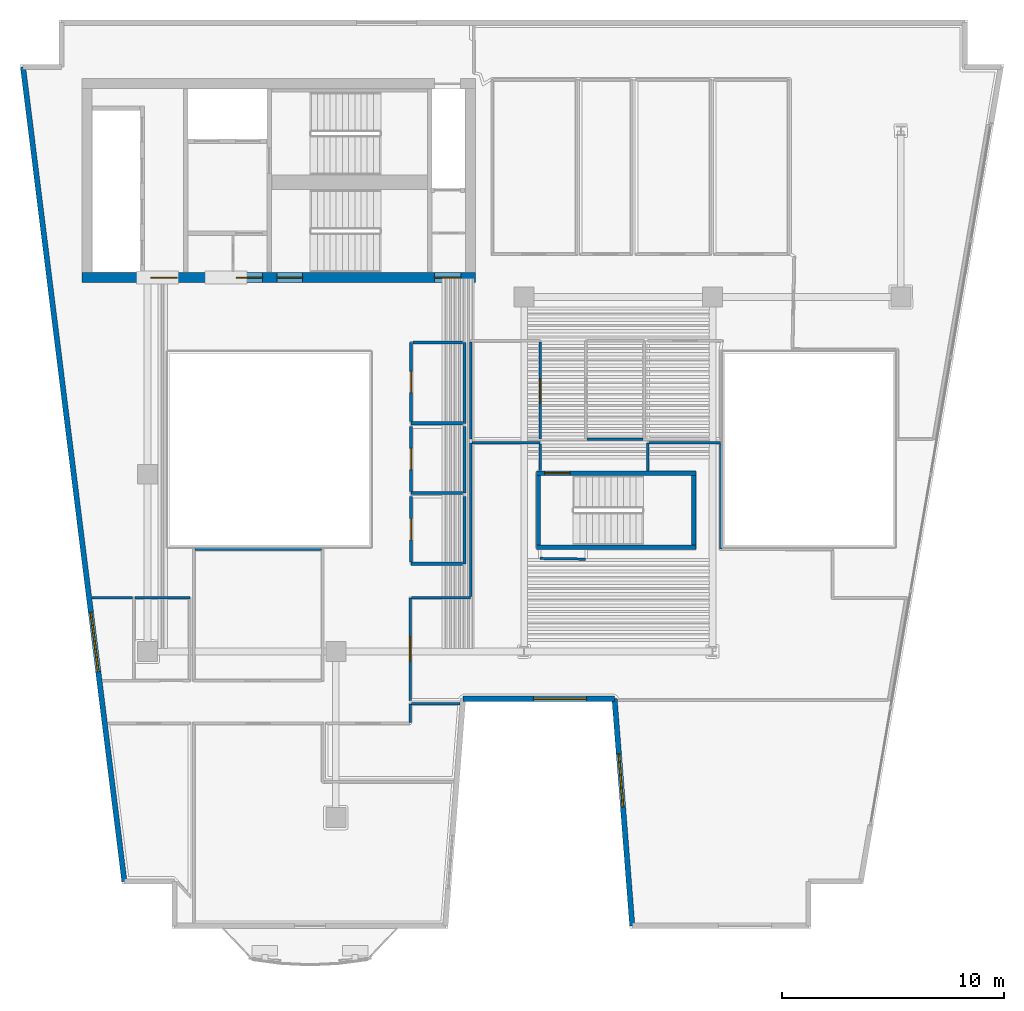
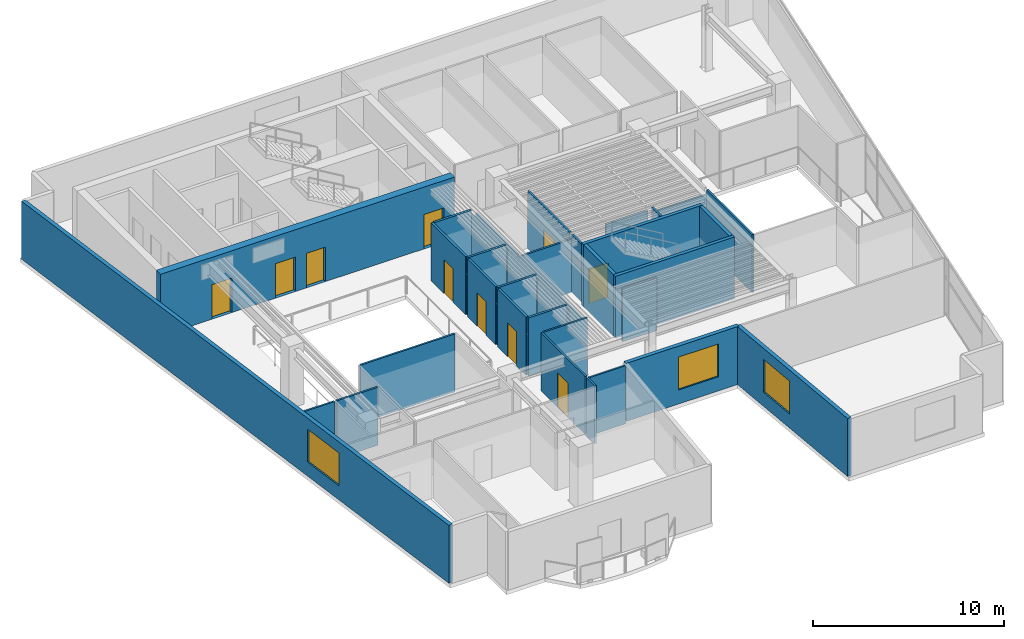
# One storey, part 4 of 10: 35 walls, 10 doors, 3 windows, 13 openings.
"""IFC4 building model written with IfcOpenShell, lengths in metres."""

from ifc_helpers import new_model, si_unit, direction, frame, frame_2d, origin, place, context, subcontext, project, spatial, rectangle, extrude, material, layer, layer_set, type_object, element, fill, save


model = new_model("IFC4")

# Units and contexts
model_context = context("Model", 3, precision=1e-05, world=origin(), true_north=direction((0.0, 1.0)))
body_context = subcontext(model_context, "Body", "Model", "MODEL_VIEW")
ifc_project = project(units=[si_unit("LENGTHUNIT", "METRE"), si_unit("AREAUNIT", "SQUARE_METRE"), si_unit("VOLUMEUNIT", "CUBIC_METRE"), si_unit("PLANEANGLEUNIT", "RADIAN"), si_unit("MASSUNIT", "GRAM", prefix="KILO")], contexts=[model_context])

# Site, building, storey
site_placement = place(None, origin())
site = spatial("IfcSite", under=ifc_project, at=site_placement, CompositionType="ELEMENT")
building_placement = place(site_placement, origin())
building = spatial("IfcBuilding", under=site, at=building_placement, Name="Caeloran Harvest Quay", CompositionType="ELEMENT")
storey_placement = place(building_placement, frame((0.0, 0.0, 219.300048828125)))
storey = spatial("IfcBuildingStorey", under=building, at=storey_placement, Name="L52", CompositionType="ELEMENT", Elevation=219.300048828125)

# Wall, opening, window
ifc_material_1 = material(Name="Precast concrete C50/60", Category="concrete")
ifc_layer_1 = layer(ifc_material_1, 0.239990234375, Name="Precast concrete C50/60")
ifc_layer_set_1 = layer_set([ifc_layer_1], Name="Precast concrete C50/60")
wall_type_1 = type_object("IfcWallType", Name="ENV-WALL-EW-240", PredefinedType="STANDARD", material=ifc_layer_set_1)
wall_1_placement = place(storey_placement, frame((7.460205078125, 4.6201171875, 0.0), z_axis=(0.0, 0.0, 1.0), x_axis=(-0.123515576323, 0.992342633573, 0.0)))
wall_1 = element("IfcWall", 1, at=wall_1_placement, inside=storey, type_object=wall_type_1, Name="L52 Exterior Precast Concrete Facade Wall 3", PredefinedType="STANDARD", context=body_context, shape_type="SweptSolid", body=[
    extrude(rectangle(XDim=37.04345703125, YDim=0.239990234375, at=frame_2d((18.521728515625, 0.0))), origin(), (0.0, 0.0, 1.0), 3.699951171875),
])
opening_1_placement = place(wall_1_placement, frame((9.535888671875, 0.0, 0.89990234375)))
opening_1 = element("IfcOpeningElement", 2, at=opening_1_placement, cuts=wall_1, Name="Opening W-07", PredefinedType="OPENING", context=body_context, shape_type="SweptSolid", body=[
    extrude(rectangle(XDim=2.699951171875, YDim=2.10009765625, at=frame_2d((1.35009765625, 1.050048828125))), frame((0.0, 0.1298828125, 0.0), z_axis=(0.0, -1.0, 0.0), x_axis=(1.0, 0.0, 0.0)), (0.0, 0.0, 1.0), 0.260009765625),
])
ifc_material_2 = material(Name="Aluminium-Framed Low-E Laminated Glass", Category="aluminium")
window_type_1 = type_object("IfcWindowType", Name="WIN-W-07", PartitioningType="DOUBLE_PANEL_VERTICAL", PredefinedType="WINDOW", material=ifc_material_2)
window_1_placement = place(opening_1_placement, origin())
window_1 = element("IfcWindow", 3, at=window_1_placement, inside=storey, type_object=window_type_1, Name="L52 Facade Punched Window W-07", OverallHeight=2.10009765625, OverallWidth=2.699951171875, PartitioningType="DOUBLE_PANEL_VERTICAL", PredefinedType="WINDOW", context=body_context, shape_type="SweptSolid", body=[
    extrude(rectangle(XDim=2.699951171875, YDim=2.10009765625, at=frame_2d((1.35009765625, 1.050048828125))), frame((0.0, 0.030029296875, 0.0), z_axis=(0.0, -1.0, 0.0), x_axis=(1.0, 0.0, 0.0)), (0.0, 0.0, 1.0), 0.06005859375),
])
fill(opening_1, window_1)

wall_2_placement = place(storey_placement, frame((30.380615234375, 2.6201171875, 0.0), z_axis=(0.0, 0.0, 1.0), x_axis=(-0.077816860153, 0.996967670627, 0.0)))
wall_2 = element("IfcWall", 4, at=wall_2_placement, inside=storey, type_object=wall_type_1, Name="L52 Exterior Precast Concrete Facade Wall 13", PredefinedType="STANDARD", context=body_context, shape_type="SweptSolid", body=[
    extrude(rectangle(XDim=10.28125, YDim=0.239990234375, at=frame_2d((5.140625, 0.0))), origin(), (0.0, 0.0, 1.0), 3.699951171875),
])
opening_2_placement = place(wall_2_placement, frame((5.3798828125, 0.0, 0.89990234375)))
opening_2 = element("IfcOpeningElement", 5, at=opening_2_placement, cuts=wall_2, Name="Opening W-02", PredefinedType="OPENING", context=body_context, shape_type="SweptSolid", body=[
    extrude(rectangle(XDim=2.39990234375, YDim=2.10009765625, at=frame_2d((1.199951171875, 1.050048828125))), frame((0.0, 0.1298828125, 0.0), z_axis=(0.0, -1.0, 0.0), x_axis=(1.0, 0.0, 0.0)), (0.0, 0.0, 1.0), 0.260009765625),
])
window_type_2 = type_object("IfcWindowType", Name="WIN-W-02", PartitioningType="DOUBLE_PANEL_VERTICAL", PredefinedType="WINDOW", material=ifc_material_2)
window_2_placement = place(opening_2_placement, origin())
window_2 = element("IfcWindow", 6, at=window_2_placement, inside=storey, type_object=window_type_2, Name="L52 Facade Punched Window W-02", OverallHeight=2.10009765625, OverallWidth=2.39990234375, PartitioningType="DOUBLE_PANEL_VERTICAL", PredefinedType="WINDOW", context=body_context, shape_type="SweptSolid", body=[
    extrude(rectangle(XDim=2.39990234375, YDim=2.10009765625, at=frame_2d((1.199951171875, 1.050048828125))), frame((0.0, 0.030029296875, 0.0), z_axis=(0.0, -1.0, 0.0), x_axis=(1.0, 0.0, 0.0)), (0.0, 0.0, 1.0), 0.06005859375),
])
fill(opening_2, window_2)

wall_3_placement = place(storey_placement, frame((29.58056640625, 12.8701171875, 0.0), z_axis=(0.0, 0.0, 1.0), x_axis=(-1.0, 0.0, 0.0)))
wall_3 = element("IfcWall", 7, at=wall_3_placement, inside=storey, type_object=wall_type_1, Name="L52 Exterior Precast Concrete Facade Wall 14", PredefinedType="STANDARD", context=body_context, shape_type="SweptSolid", body=[
    extrude(rectangle(XDim=6.83447265625, YDim=0.239990234375, at=frame_2d((3.417236328125, 0.0))), origin(), (0.0, 0.0, 1.0), 3.699951171875),
])
opening_3_placement = place(wall_3_placement, frame((1.260009765625, 0.0, 0.89990234375)))
opening_3 = element("IfcOpeningElement", 8, at=opening_3_placement, cuts=wall_3, Name="Opening W-02", PredefinedType="OPENING", context=body_context, shape_type="SweptSolid", body=[
    extrude(rectangle(XDim=2.39990234375, YDim=2.10009765625, at=frame_2d((1.199951171875, 1.050048828125))), frame((0.0, 0.1298828125, 0.0), z_axis=(0.0, -1.0, 0.0), x_axis=(1.0, 0.0, 0.0)), (0.0, 0.0, 1.0), 0.260009765625),
])
window_3_placement = place(opening_3_placement, origin())
window_3 = element("IfcWindow", 9, at=window_3_placement, inside=storey, type_object=window_type_2, Name="L52 Facade Punched Window W-02", OverallHeight=2.10009765625, OverallWidth=2.39990234375, PartitioningType="DOUBLE_PANEL_VERTICAL", PredefinedType="WINDOW", context=body_context, shape_type="SweptSolid", body=[
    extrude(rectangle(XDim=2.39990234375, YDim=2.10009765625, at=frame_2d((1.199951171875, 1.050048828125))), frame((0.0, 0.030029296875, 0.0), z_axis=(0.0, -1.0, 0.0), x_axis=(1.0, 0.0, 0.0)), (0.0, 0.0, 1.0), 0.06005859375),
])
fill(opening_3, window_3)

# Walls
ifc_material_3 = material(Name="Single-Stud Acoustic Gypsum Office Partition", Category="gypsum")
ifc_layer_2 = layer(ifc_material_3, 0.112060546875, Name="Single-Stud Acoustic Gypsum Office Partition")
ifc_layer_set_2 = layer_set([ifc_layer_2], Name="Single-Stud Acoustic Gypsum Office Partition")
wall_type_2 = type_object("IfcWallType", Name="INT-WALL-PW-112", PredefinedType="PARTITIONING", material=ifc_layer_set_2)
wall_4_placement = place(storey_placement, frame((20.35009765625, 11.800048828125, 0.0), z_axis=(0.0, 0.0, 1.0), x_axis=(0.0, 1.0, 0.0)))
element("IfcWall", 10, at=wall_4_placement, inside=storey, type_object=wall_type_2, Name="Due-Diligence Meeting Hall Partition Wall", PredefinedType="PARTITIONING", context=body_context, shape_type="SweptSolid", body=[
    extrude(rectangle(XDim=0.83984375, YDim=0.112060546875, at=frame_2d((0.419921875, 0.0))), origin(), (0.0, 0.0, 1.0), 3.699951171875),
])
wall_5_placement = place(storey_placement, frame((20.410888671875, 12.639892578125, 0.0), z_axis=(0.0, 0.0, 1.0), x_axis=(1.0, 0.0, 0.0)))
element("IfcWall", 11, at=wall_5_placement, inside=storey, type_object=wall_type_2, Name="Due-Diligence Meeting Hall Partition Wall", PredefinedType="PARTITIONING", context=body_context, shape_type="SweptSolid", body=[
    extrude(rectangle(XDim=2.19189453125, YDim=0.112060546875, at=frame_2d((1.095947265625, 0.0))), origin(), (0.0, 0.0, 1.0), 3.699951171875),
])
wall_6_placement = place(storey_placement, frame((5.992919921875, 17.419921875, 0.0), z_axis=(0.0, 0.0, 1.0), x_axis=(1.0, 0.0, 0.0)))
element("IfcWall", 12, at=wall_6_placement, inside=storey, type_object=wall_type_2, Name="General Partner Corner Office Partition Wall", PredefinedType="PARTITIONING", context=body_context, shape_type="SweptSolid", body=[
    extrude(rectangle(XDim=1.826171875, YDim=0.112060546875, at=frame_2d((0.9130859375, 0.0))), origin(), (0.0, 0.0, 1.0), 3.699951171875),
])
wall_7_placement = place(storey_placement, frame((7.94091796875, 17.419921875, 0.0), z_axis=(0.0, 0.0, 1.0), x_axis=(1.0, 0.0, 0.0)))
element("IfcWall", 13, at=wall_7_placement, inside=storey, type_object=wall_type_2, Name="General Partner Corner Office Partition Wall", PredefinedType="PARTITIONING", context=body_context, shape_type="SweptSolid", body=[
    extrude(rectangle(XDim=2.47900390625, YDim=0.112060546875, at=frame_2d((1.239501953125, 0.0))), origin(), (0.0, 0.0, 1.0), 3.699951171875),
])
wall_8_placement = place(storey_placement, frame((10.64111328125, 19.6201171875, 0.0), z_axis=(0.0, 0.0, 1.0), x_axis=(1.0, 0.0, 0.0)))
element("IfcWall", 14, at=wall_8_placement, inside=storey, type_object=wall_type_2, Name="Board Conference Room Partition Wall", PredefinedType="PARTITIONING", context=body_context, shape_type="SweptSolid", body=[
    extrude(rectangle(XDim=5.7177734375, YDim=0.112060546875, at=frame_2d((2.85888671875, 0.0))), origin(), (0.0, 0.0, 1.0), 3.699951171875),
])
wall_9_placement = place(storey_placement, frame((31.080078125, 23.155029296875, 0.0), z_axis=(0.0, 0.0, 1.0), x_axis=(0.0, 1.0, 0.0)))
element("IfcWall", 15, at=wall_9_placement, inside=storey, type_object=wall_type_2, Name="Founder Fireside Salon Lounge Partition Wall", PredefinedType="PARTITIONING", context=body_context, shape_type="SweptSolid", body=[
    extrude(rectangle(XDim=1.264892578125, YDim=0.112060546875, at=frame_2d((0.63232421875, 0.0))), origin(), (0.0, 0.0, 1.0), 3.699951171875),
])
wall_10_placement = place(storey_placement, frame((31.14111328125, 24.419921875, 0.0), z_axis=(0.0, 0.0, 1.0), x_axis=(1.0, 0.0, 0.0)))
element("IfcWall", 16, at=wall_10_placement, inside=storey, type_object=wall_type_2, Name="Founder Fireside Salon Lounge Partition Wall", PredefinedType="PARTITIONING", context=body_context, shape_type="SweptSolid", body=[
    extrude(rectangle(XDim=3.22900390625, YDim=0.112060546875, at=frame_2d((1.614501953125, 0.0))), origin(), (0.0, 0.0, 1.0), 3.385009765625),
])
wall_11_placement = place(storey_placement, frame((34.3701171875, 24.35888671875, 0.0), z_axis=(0.0, 0.0, 1.0), x_axis=(0.0, -1.0, 0.0)))
element("IfcWall", 17, at=wall_11_placement, inside=storey, type_object=wall_type_2, Name="Founder Fireside Salon Lounge Partition Wall", PredefinedType="PARTITIONING", context=body_context, shape_type="SweptSolid", body=[
    extrude(rectangle(XDim=4.73876953125, YDim=0.112060546875, at=frame_2d((2.369384765625, 0.0))), origin(), (0.0, 0.0, 1.0), 3.699951171875),
])

# Wall, opening, door
wall_12_placement = place(storey_placement, frame((20.35009765625, 12.800048828125, 0.0), z_axis=(0.0, 0.0, 1.0), x_axis=(0.0, 1.0, 0.0)))
wall_12 = element("IfcWall", 18, at=wall_12_placement, inside=storey, type_object=wall_type_2, Name="Founder Fireside Salon Lounge Partition Wall", PredefinedType="PARTITIONING", context=body_context, shape_type="SweptSolid", body=[
    extrude(rectangle(XDim=4.619873046875, YDim=0.112060546875, at=frame_2d((2.31005859375, 0.0))), origin(), (0.0, 0.0, 1.0), 3.699951171875),
])
opening_4_placement = place(wall_12_placement, frame((1.760009765625, 0.0, 0.0)))
opening_4 = element("IfcOpeningElement", 19, at=opening_4_placement, cuts=wall_12, Name="Opening ID-04", PredefinedType="OPENING", context=body_context, shape_type="SweptSolid", body=[
    extrude(rectangle(XDim=1.10009765625, YDim=2.199951171875, at=frame_2d((0.550048828125, 1.10009765625))), frame((0.0, 0.06591796875, 0.0), z_axis=(0.0, -1.0, 0.0), x_axis=(1.0, 0.0, 0.0)), (0.0, 0.0, 1.0), 0.132080078125),
])
ifc_material_4 = material(Name="Acoustic Walnut Veneer Executive Door", Category="wood")
door_type_1 = type_object("IfcDoorType", Name="INTDOOR-ID-04", OperationType="NOTDEFINED", PredefinedType="DOOR", material=ifc_material_4)
door_1_placement = place(opening_4_placement, origin())
door_1 = element("IfcDoor", 20, at=door_1_placement, inside=storey, type_object=door_type_1, Name="Founder Fireside Salon Lounge Access Door", OperationType="SINGLE_SWING_RIGHT", OverallHeight=2.199951171875, OverallWidth=1.10009765625, PredefinedType="DOOR", context=body_context, shape_type="SweptSolid", body=[
    extrude(rectangle(XDim=1.10009765625, YDim=2.199951171875, at=frame_2d((0.550048828125, 1.10009765625))), frame((0.0, 0.02490234375, 0.0), z_axis=(0.0, -1.0, 0.0), x_axis=(1.0, 0.0, 0.0)), (0.0, 0.0, 1.0), 0.050048828125),
])
fill(opening_4, door_1)

# Walls
wall_13_placement = place(storey_placement, frame((20.410888671875, 17.419921875, 0.0), z_axis=(0.0, 0.0, 1.0), x_axis=(1.0, 0.0, 0.0)))
element("IfcWall", 21, at=wall_13_placement, inside=storey, type_object=wall_type_2, Name="Founder Fireside Salon Lounge Partition Wall", PredefinedType="PARTITIONING", context=body_context, shape_type="SweptSolid", body=[
    extrude(rectangle(XDim=2.669189453125, YDim=0.112060546875, at=frame_2d((1.33447265625, 0.0))), origin(), (0.0, 0.0, 1.0), 3.699951171875),
])
wall_14_placement = place(storey_placement, frame((23.080078125, 17.48095703125, 0.0), z_axis=(0.0, 0.0, 1.0), x_axis=(0.0, 1.0, 0.0)))
element("IfcWall", 22, at=wall_14_placement, inside=storey, type_object=wall_type_2, Name="Founder Fireside Salon Lounge Partition Wall", PredefinedType="PARTITIONING", context=body_context, shape_type="SweptSolid", body=[
    extrude(rectangle(XDim=6.93896484375, YDim=0.112060546875, at=frame_2d((3.469482421875, 0.0))), origin(), (0.0, 0.0, 1.0), 3.385009765625),
])
wall_15_placement = place(storey_placement, frame((23.14111328125, 24.419921875, 0.0), z_axis=(0.0, 0.0, 1.0), x_axis=(1.0, 0.0, 0.0)))
element("IfcWall", 23, at=wall_15_placement, inside=storey, type_object=wall_type_2, Name="Founder Fireside Salon Lounge Partition Wall", PredefinedType="PARTITIONING", context=body_context, shape_type="SweptSolid", body=[
    extrude(rectangle(XDim=3.078857421875, YDim=0.112060546875, at=frame_2d((1.53955078125, 0.0))), origin(), (0.0, 0.0, 1.0), 3.385009765625),
])
wall_16_placement = place(storey_placement, frame((26.219970703125, 24.35888671875, 0.0), z_axis=(0.0, 0.0, 1.0), x_axis=(0.0, -1.0, 0.0)))
element("IfcWall", 24, at=wall_16_placement, inside=storey, type_object=wall_type_2, Name="Founder Fireside Salon Lounge Partition Wall", PredefinedType="PARTITIONING", context=body_context, shape_type="SweptSolid", body=[
    extrude(rectangle(XDim=1.19384765625, YDim=0.112060546875, at=frame_2d((0.596923828125, 0.0))), origin(), (0.0, 0.0, 1.0), 3.699951171875),
])
wall_17_placement = place(storey_placement, frame((26.219970703125, 19.199951171875, 0.0), z_axis=(0.0, 0.0, 1.0), x_axis=(0.999893773718, -0.014575365509, 0.0)))
element("IfcWall", 25, at=wall_17_placement, inside=storey, type_object=wall_type_2, Name="Founder Fireside Salon Lounge Partition Wall", PredefinedType="PARTITIONING", context=body_context, shape_type="SweptSolid", body=[
    extrude(rectangle(XDim=2.060302734375, YDim=0.112060546875, at=frame_2d((1.0302734375, 0.0))), origin(), (0.0, 0.0, 1.0), 3.385009765625),
])

# Wall, opening, door
wall_18_placement = place(storey_placement, frame((26.219970703125, 28.958984375, 0.0), z_axis=(0.0, 0.0, 1.0), x_axis=(0.0, -1.0, 0.0)))
wall_18 = element("IfcWall", 26, at=wall_18_placement, inside=storey, type_object=wall_type_2, Name="Refreshment Dining Kitchen Partition Wall", PredefinedType="PARTITIONING", context=body_context, shape_type="SweptSolid", body=[
    extrude(rectangle(XDim=4.37890625, YDim=0.112060546875, at=frame_2d((2.189453125, 0.0))), origin(), (0.0, 0.0, 1.0), 3.699951171875),
])
opening_5_placement = place(wall_18_placement, frame((1.639404296875, 0.0, 0.0)))
opening_5 = element("IfcOpeningElement", 27, at=opening_5_placement, cuts=wall_18, Name="Opening ID-04", PredefinedType="OPENING", context=body_context, shape_type="SweptSolid", body=[
    extrude(rectangle(XDim=1.10009765625, YDim=2.199951171875, at=frame_2d((0.550048828125, 1.10009765625))), frame((0.0, 0.06591796875, 0.0), z_axis=(0.0, -1.0, 0.0), x_axis=(1.0, 0.0, 0.0)), (0.0, 0.0, 1.0), 0.132080078125),
])
door_2_placement = place(opening_5_placement, origin())
door_2 = element("IfcDoor", 28, at=door_2_placement, inside=storey, type_object=door_type_1, Name="Refreshment Dining Kitchen Access Door", OperationType="SINGLE_SWING_LEFT", OverallHeight=2.199951171875, OverallWidth=1.10009765625, PredefinedType="DOOR", context=body_context, shape_type="SweptSolid", body=[
    extrude(rectangle(XDim=1.10009765625, YDim=2.199951171875, at=frame_2d((0.550048828125, 1.10009765625))), frame((0.0, 0.02490234375, 0.0), z_axis=(0.0, -1.0, 0.0), x_axis=(1.0, 0.0, 0.0)), (0.0, 0.0, 1.0), 0.050048828125),
])
fill(opening_5, door_2)

# Walls
wall_19_placement = place(storey_placement, frame((23.080078125, 24.580078125, 0.0), z_axis=(0.0, 0.0, 1.0), x_axis=(0.0, 1.0, 0.0)))
element("IfcWall", 29, at=wall_19_placement, inside=storey, type_object=wall_type_2, Name="Refreshment Dining Kitchen Partition Wall", PredefinedType="PARTITIONING", context=body_context, shape_type="SweptSolid", body=[
    extrude(rectangle(XDim=4.37890625, YDim=0.112060546875, at=frame_2d((2.189453125, 0.0))), origin(), (0.0, 0.0, 1.0), 3.385009765625),
])
wall_20_placement = place(storey_placement, frame((30.85888671875, 24.580078125, 0.0), z_axis=(0.0, 0.0, 1.0), x_axis=(-1.0, 0.0, 0.0)))
element("IfcWall", 30, at=wall_20_placement, inside=storey, type_object=wall_type_2, Name="Secure Vault Laboratory Partition Wall", PredefinedType="PARTITIONING", context=body_context, shape_type="SweptSolid", body=[
    extrude(rectangle(XDim=2.517822265625, YDim=0.112060546875, at=frame_2d((1.2587890625, 0.0))), origin(), (0.0, 0.0, 1.0), 3.48486328125),
])
ifc_material_5 = material(Name="Moisture-Resistant Cement-Board Sanitary Partition", Category="gypsum")
ifc_layer_3 = layer(ifc_material_5, 0.139892578125, Name="Moisture-Resistant Cement-Board Sanitary Partition")
ifc_layer_set_3 = layer_set([ifc_layer_3], Name="Moisture-Resistant Cement-Board Sanitary Partition")
wall_type_3 = type_object("IfcWallType", Name="INT-WALL-PW-140", PredefinedType="PARTITIONING", material=ifc_layer_set_3)
wall_21_placement = place(storey_placement, frame((22.800048828125, 28.949951171875, 0.0), z_axis=(0.0, 0.0, 1.0), x_axis=(0.0, -1.0, 0.0)))
element("IfcWall", 31, at=wall_21_placement, inside=storey, type_object=wall_type_3, Name="L52 Male Washroom WC Partition Wall", PredefinedType="PARTITIONING", context=body_context, shape_type="SweptSolid", body=[
    extrude(rectangle(XDim=3.64990234375, YDim=0.139892578125, at=frame_2d((1.824951171875, 0.0))), origin(), (0.0, 0.0, 1.0), 3.385009765625),
])
wall_22_placement = place(storey_placement, frame((22.72509765625, 25.300048828125, 0.0), z_axis=(0.0, 0.0, 1.0), x_axis=(-1.0, 0.0, 0.0)))
element("IfcWall", 32, at=wall_22_placement, inside=storey, type_object=wall_type_3, Name="L52 Male Washroom WC Partition Wall", PredefinedType="PARTITIONING", context=body_context, shape_type="SweptSolid", body=[
    extrude(rectangle(XDim=2.3251953125, YDim=0.139892578125, at=frame_2d((1.16259765625, 0.0))), origin(), (0.0, 0.0, 1.0), 3.699951171875),
])

# Wall, opening, door
wall_23_placement = place(storey_placement, frame((20.39990234375, 25.375, 0.0), z_axis=(0.0, 0.0, 1.0), x_axis=(0.0, 1.0, 0.0)))
wall_23 = element("IfcWall", 33, at=wall_23_placement, inside=storey, type_object=wall_type_3, Name="L52 Male Washroom WC Partition Wall", PredefinedType="PARTITIONING", context=body_context, shape_type="SweptSolid", body=[
    extrude(rectangle(XDim=3.574951171875, YDim=0.139892578125, at=frame_2d((1.78759765625, 0.0))), origin(), (0.0, 0.0, 1.0), 3.699951171875),
])
opening_6_placement = place(wall_23_placement, frame((1.3125, 0.0, 0.0)))
opening_6 = element("IfcOpeningElement", 34, at=opening_6_placement, cuts=wall_23, Name="Opening WC-01", PredefinedType="OPENING", context=body_context, shape_type="SweptSolid", body=[
    extrude(rectangle(XDim=0.949951171875, YDim=2.14990234375, at=frame_2d((0.47509765625, 1.074951171875))), frame((0.0, 0.080078125, 0.0), z_axis=(0.0, -1.0, 0.0), x_axis=(1.0, 0.0, 0.0)), (0.0, 0.0, 1.0), 0.159912109375),
])
ifc_material_6 = material(Name="High-Pressure Laminate Moisture-Resistant Timber", Category="wood")
door_type_2 = type_object("IfcDoorType", Name="INTDOOR-WC-01", OperationType="NOTDEFINED", PredefinedType="DOOR", material=ifc_material_6)
door_3_placement = place(opening_6_placement, origin())
door_3 = element("IfcDoor", 35, at=door_3_placement, inside=storey, type_object=door_type_2, Name="L52 Male Washroom WC Access Door", OperationType="SINGLE_SWING_LEFT", OverallHeight=2.14990234375, OverallWidth=0.949951171875, PredefinedType="DOOR", context=body_context, shape_type="SweptSolid", body=[
    extrude(rectangle(XDim=0.949951171875, YDim=2.14990234375, at=frame_2d((0.47509765625, 1.074951171875))), frame((0.0, 0.02490234375, 0.0), z_axis=(0.0, -1.0, 0.0), x_axis=(1.0, 0.0, 0.0)), (0.0, 0.0, 1.0), 0.050048828125),
])
fill(opening_6, door_3)

# Walls
wall_24_placement = place(storey_placement, frame((20.47509765625, 28.949951171875, 0.0), z_axis=(0.0, 0.0, 1.0), x_axis=(1.0, 0.0, 0.0)))
element("IfcWall", 36, at=wall_24_placement, inside=storey, type_object=wall_type_3, Name="L52 Male Washroom WC Partition Wall", PredefinedType="PARTITIONING", context=body_context, shape_type="SweptSolid", body=[
    extrude(rectangle(XDim=2.25, YDim=0.139892578125, at=frame_2d((1.125, 0.0))), origin(), (0.0, 0.0, 1.0), 3.699951171875),
])
wall_25_placement = place(storey_placement, frame((22.800048828125, 25.14990234375, 0.0), z_axis=(0.0, 0.0, 1.0), x_axis=(0.0, -1.0, 0.0)))
element("IfcWall", 37, at=wall_25_placement, inside=storey, type_object=wall_type_3, Name="L52 Female Washroom WC Partition Wall", PredefinedType="PARTITIONING", context=body_context, shape_type="SweptSolid", body=[
    extrude(rectangle(XDim=3.0, YDim=0.139892578125, at=frame_2d((1.5, 0.0))), origin(), (0.0, 0.0, 1.0), 3.385009765625),
])
wall_26_placement = place(storey_placement, frame((22.72509765625, 22.14990234375, 0.0), z_axis=(0.0, 0.0, 1.0), x_axis=(-1.0, 0.0, 0.0)))
element("IfcWall", 38, at=wall_26_placement, inside=storey, type_object=wall_type_3, Name="L52 Female Washroom WC Partition Wall", PredefinedType="PARTITIONING", context=body_context, shape_type="SweptSolid", body=[
    extrude(rectangle(XDim=2.3251953125, YDim=0.139892578125, at=frame_2d((1.16259765625, 0.0))), origin(), (0.0, 0.0, 1.0), 3.699951171875),
])

# Wall, opening, door
wall_27_placement = place(storey_placement, frame((20.39990234375, 22.22509765625, 0.0), z_axis=(0.0, 0.0, 1.0), x_axis=(0.0, 1.0, 0.0)))
wall_27 = element("IfcWall", 39, at=wall_27_placement, inside=storey, type_object=wall_type_3, Name="L52 Female Washroom WC Partition Wall", PredefinedType="PARTITIONING", context=body_context, shape_type="SweptSolid", body=[
    extrude(rectangle(XDim=2.9248046875, YDim=0.139892578125, at=frame_2d((1.46240234375, 0.0))), origin(), (0.0, 0.0, 1.0), 3.699951171875),
])
opening_7_placement = place(wall_27_placement, frame((0.987548828125, 0.0, 0.0)))
opening_7 = element("IfcOpeningElement", 40, at=opening_7_placement, cuts=wall_27, Name="Opening WC-01", PredefinedType="OPENING", context=body_context, shape_type="SweptSolid", body=[
    extrude(rectangle(XDim=0.949951171875, YDim=2.14990234375, at=frame_2d((0.47509765625, 1.074951171875))), frame((0.0, 0.080078125, 0.0), z_axis=(0.0, -1.0, 0.0), x_axis=(1.0, 0.0, 0.0)), (0.0, 0.0, 1.0), 0.159912109375),
])
door_4_placement = place(opening_7_placement, origin())
door_4 = element("IfcDoor", 41, at=door_4_placement, inside=storey, type_object=door_type_2, Name="L52 Female Washroom WC Access Door", OperationType="SINGLE_SWING_RIGHT", OverallHeight=2.14990234375, OverallWidth=0.949951171875, PredefinedType="DOOR", context=body_context, shape_type="SweptSolid", body=[
    extrude(rectangle(XDim=0.949951171875, YDim=2.14990234375, at=frame_2d((0.47509765625, 1.074951171875))), frame((0.0, 0.02490234375, 0.0), z_axis=(0.0, -1.0, 0.0), x_axis=(1.0, 0.0, 0.0)), (0.0, 0.0, 1.0), 0.050048828125),
])
fill(opening_7, door_4)

# Walls
wall_28_placement = place(storey_placement, frame((22.800048828125, 22.0, 0.0), z_axis=(0.0, 0.0, 1.0), x_axis=(0.0, -1.0, 0.0)))
element("IfcWall", 42, at=wall_28_placement, inside=storey, type_object=wall_type_3, Name="L52 Accessible Unisex Washroom WC Partition Wall", PredefinedType="PARTITIONING", context=body_context, shape_type="SweptSolid", body=[
    extrude(rectangle(XDim=3.0400390625, YDim=0.139892578125, at=frame_2d((1.52001953125, 0.0))), origin(), (0.0, 0.0, 1.0), 3.385009765625),
])
wall_29_placement = place(storey_placement, frame((22.72509765625, 18.9599609375, 0.0), z_axis=(0.0, 0.0, 1.0), x_axis=(-1.0, 0.0, 0.0)))
element("IfcWall", 43, at=wall_29_placement, inside=storey, type_object=wall_type_3, Name="L52 Accessible Unisex Washroom WC Partition Wall", PredefinedType="PARTITIONING", context=body_context, shape_type="SweptSolid", body=[
    extrude(rectangle(XDim=2.3251953125, YDim=0.139892578125, at=frame_2d((1.16259765625, 0.0))), origin(), (0.0, 0.0, 1.0), 3.699951171875),
])

# Wall, opening, door
wall_30_placement = place(storey_placement, frame((20.39990234375, 19.034912109375, 0.0), z_axis=(0.0, 0.0, 1.0), x_axis=(0.0, 1.0, 0.0)))
wall_30 = element("IfcWall", 44, at=wall_30_placement, inside=storey, type_object=wall_type_3, Name="L52 Accessible Unisex Washroom WC Partition Wall", PredefinedType="PARTITIONING", context=body_context, shape_type="SweptSolid", body=[
    extrude(rectangle(XDim=2.965087890625, YDim=0.139892578125, at=frame_2d((1.482421875, 0.0))), origin(), (0.0, 0.0, 1.0), 3.699951171875),
])
opening_8_placement = place(wall_30_placement, frame((1.007568359375, 0.0, 0.0)))
opening_8 = element("IfcOpeningElement", 45, at=opening_8_placement, cuts=wall_30, Name="Opening WC-01", PredefinedType="OPENING", context=body_context, shape_type="SweptSolid", body=[
    extrude(rectangle(XDim=0.949951171875, YDim=2.14990234375, at=frame_2d((0.47509765625, 1.074951171875))), frame((0.0, 0.080078125, 0.0), z_axis=(0.0, -1.0, 0.0), x_axis=(1.0, 0.0, 0.0)), (0.0, 0.0, 1.0), 0.159912109375),
])
door_5_placement = place(opening_8_placement, origin())
door_5 = element("IfcDoor", 46, at=door_5_placement, inside=storey, type_object=door_type_2, Name="L52 Accessible Unisex Washroom WC Access Door", OperationType="SINGLE_SWING_LEFT", OverallHeight=2.14990234375, OverallWidth=0.949951171875, PredefinedType="DOOR", context=body_context, shape_type="SweptSolid", body=[
    extrude(rectangle(XDim=0.949951171875, YDim=2.14990234375, at=frame_2d((0.47509765625, 1.074951171875))), frame((0.0, 0.02490234375, 0.0), z_axis=(0.0, -1.0, 0.0), x_axis=(1.0, 0.0, 0.0)), (0.0, 0.0, 1.0), 0.050048828125),
])
fill(opening_8, door_5)

# Wall, openings, doors
ifc_material_7 = material(Name="Concrete C60/75", Category="concrete")
ifc_layer_4 = layer(ifc_material_7, 0.449951171875, Name="Concrete C60/75")
ifc_layer_set_4 = layer_set([ifc_layer_4], Name="Concrete C60/75")
wall_type_4 = type_object("IfcWallType", Name="STR-WALL-CW-450", PredefinedType="SHEAR", material=ifc_layer_set_4)
wall_31_placement = place(storey_placement, frame((5.550048828125, 31.875, 0.0), z_axis=(0.0, 0.0, 1.0), x_axis=(1.0, 0.0, 0.0)))
wall_31 = element("IfcWall", 47, at=wall_31_placement, inside=storey, type_object=wall_type_4, Name="L52 Rear Core Shear Wall S", PredefinedType="SHEAR", context=body_context, shape_type="SweptSolid", body=[
    extrude(rectangle(XDim=17.75, YDim=0.449951171875, at=frame_2d((8.875, 0.0))), origin(), (0.0, 0.0, 1.0), 3.949951171875),
])
opening_9_placement = place(wall_31_placement, frame((3.10009765625, 0.0, 0.0)))
opening_9 = element("IfcOpeningElement", 48, at=opening_9_placement, cuts=wall_31, Name="Opening FD-01", PredefinedType="OPENING", context=body_context, shape_type="SweptSolid", body=[
    extrude(rectangle(XDim=1.199951171875, YDim=2.199951171875, at=frame_2d((0.60009765625, 1.10009765625))), frame((0.0, 0.23486328125, 0.0), z_axis=(0.0, -1.0, 0.0), x_axis=(1.0, 0.0, 0.0)), (0.0, 0.0, 1.0), 0.469970703125),
])
opening_10_placement = place(wall_31_placement, frame((6.949951171875, 0.0, 0.0)))
opening_10 = element("IfcOpeningElement", 49, at=opening_10_placement, cuts=wall_31, Name="Opening FD-01", PredefinedType="OPENING", context=body_context, shape_type="SweptSolid", body=[
    extrude(rectangle(XDim=1.199951171875, YDim=2.199951171875, at=frame_2d((0.60009765625, 1.10009765625))), frame((0.0, 0.23486328125, 0.0), z_axis=(0.0, -1.0, 0.0), x_axis=(1.0, 0.0, 0.0)), (0.0, 0.0, 1.0), 0.469970703125),
])
opening_11_placement = place(wall_31_placement, frame((8.800048828125, 0.0, 0.0)))
opening_11 = element("IfcOpeningElement", 50, at=opening_11_placement, cuts=wall_31, Name="Opening SD-01", PredefinedType="OPENING", context=body_context, shape_type="SweptSolid", body=[
    extrude(rectangle(XDim=1.14990234375, YDim=2.199951171875, at=frame_2d((0.574951171875, 1.10009765625))), frame((0.0, 0.23486328125, 0.0), z_axis=(0.0, -1.0, 0.0), x_axis=(1.0, 0.0, 0.0)), (0.0, 0.0, 1.0), 0.469970703125),
])
opening_12_placement = place(wall_31_placement, frame((15.89990234375, 0.0, 0.0)))
opening_12 = element("IfcOpeningElement", 51, at=opening_12_placement, cuts=wall_31, Name="Opening FD-01", PredefinedType="OPENING", context=body_context, shape_type="SweptSolid", body=[
    extrude(rectangle(XDim=1.199951171875, YDim=2.199951171875, at=frame_2d((0.60009765625, 1.10009765625))), frame((0.0, 0.23486328125, 0.0), z_axis=(0.0, -1.0, 0.0), x_axis=(1.0, 0.0, 0.0)), (0.0, 0.0, 1.0), 0.469970703125),
])
ifc_material_8 = material(Name="Steel", Category="steel")
door_type_3 = type_object("IfcDoorType", Name="INTDOOR-FD-01", OperationType="NOTDEFINED", PredefinedType="DOOR", material=ifc_material_8)
door_6_placement = place(opening_9_placement, origin())
door_6 = element("IfcDoor", 52, at=door_6_placement, inside=storey, type_object=door_type_3, Name="L52 High-Rise Lift Lobby Fire Door", OperationType="SINGLE_SWING_LEFT", OverallHeight=2.199951171875, OverallWidth=1.199951171875, PredefinedType="DOOR", context=body_context, shape_type="SweptSolid", body=[
    extrude(rectangle(XDim=1.199951171875, YDim=2.199951171875, at=frame_2d((0.60009765625, 1.10009765625))), frame((0.0, 0.02490234375, 0.0), z_axis=(0.0, -1.0, 0.0), x_axis=(1.0, 0.0, 0.0)), (0.0, 0.0, 1.0), 0.050048828125),
])
fill(opening_9, door_6)
door_7_placement = place(opening_10_placement, origin())
door_7 = element("IfcDoor", 53, at=door_7_placement, inside=storey, type_object=door_type_3, Name="L52 Firefighting Lobby Vestibule Fire Door", OperationType="SINGLE_SWING_RIGHT", OverallHeight=2.199951171875, OverallWidth=1.199951171875, PredefinedType="DOOR", context=body_context, shape_type="SweptSolid", body=[
    extrude(rectangle(XDim=1.199951171875, YDim=2.199951171875, at=frame_2d((0.60009765625, 1.10009765625))), frame((0.0, 0.02490234375, 0.0), z_axis=(0.0, -1.0, 0.0), x_axis=(1.0, 0.0, 0.0)), (0.0, 0.0, 1.0), 0.050048828125),
])
fill(opening_10, door_7)
door_8_placement = place(opening_12_placement, origin())
door_8 = element("IfcDoor", 54, at=door_8_placement, inside=storey, type_object=door_type_3, Name="L52 Service Lift Lobby Fire Door", OperationType="SINGLE_SWING_RIGHT", OverallHeight=2.199951171875, OverallWidth=1.199951171875, PredefinedType="DOOR", context=body_context, shape_type="SweptSolid", body=[
    extrude(rectangle(XDim=1.199951171875, YDim=2.199951171875, at=frame_2d((0.60009765625, 1.10009765625))), frame((0.0, 0.02490234375, 0.0), z_axis=(0.0, -1.0, 0.0), x_axis=(1.0, 0.0, 0.0)), (0.0, 0.0, 1.0), 0.050048828125),
])
fill(opening_12, door_8)
door_type_4 = type_object("IfcDoorType", Name="INTDOOR-SD-01", OperationType="NOTDEFINED", PredefinedType="DOOR", material=ifc_material_8)
door_9_placement = place(opening_11_placement, origin())
door_9 = element("IfcDoor", 55, at=door_9_placement, inside=storey, type_object=door_type_4, Name="L52 Protected Stair ST-C2 Exit Door", OperationType="SINGLE_SWING_LEFT", OverallHeight=2.199951171875, OverallWidth=1.14990234375, PredefinedType="DOOR", context=body_context, shape_type="SweptSolid", body=[
    extrude(rectangle(XDim=1.14990234375, YDim=2.199951171875, at=frame_2d((0.574951171875, 1.10009765625))), frame((0.0, 0.02490234375, 0.0), z_axis=(0.0, -1.0, 0.0), x_axis=(1.0, 0.0, 0.0)), (0.0, 0.0, 1.0), 0.050048828125),
])
fill(opening_11, door_9)

# Wall
ifc_layer_5 = layer(ifc_material_7, 0.199951171875, Name="Concrete C60/75")
ifc_layer_set_5 = layer_set([ifc_layer_5], Name="Concrete C60/75")
wall_type_5 = type_object("IfcWallType", Name="STR-WALL-SW-200", PredefinedType="SHEAR", material=ifc_layer_set_5)
wall_32_placement = place(storey_placement, frame((26.050048828125, 19.699951171875, 0.0), z_axis=(0.0, 0.0, 1.0), x_axis=(1.0, 0.0, 0.0)))
element("IfcWall", 56, at=wall_32_placement, inside=storey, type_object=wall_type_5, Name="L52 Stair ST-W1 S RC Shaft Shear Wall", PredefinedType="SHEAR", context=body_context, shape_type="SweptSolid", body=[
    extrude(rectangle(XDim=7.199951171875, YDim=0.199951171875, at=frame_2d((3.60009765625, 0.0))), origin(), (0.0, 0.0, 1.0), 3.949951171875),
])

# Wall, opening, door
wall_33_placement = place(storey_placement, frame((26.050048828125, 23.050048828125, 0.0), z_axis=(0.0, 0.0, 1.0), x_axis=(1.0, 0.0, 0.0)))
wall_33 = element("IfcWall", 57, at=wall_33_placement, inside=storey, type_object=wall_type_5, Name="L52 Stair ST-W1 N RC Shaft Shear Wall", PredefinedType="SHEAR", context=body_context, shape_type="SweptSolid", body=[
    extrude(rectangle(XDim=7.199951171875, YDim=0.199951171875, at=frame_2d((3.60009765625, 0.0))), origin(), (0.0, 0.0, 1.0), 3.949951171875),
])
opening_13_placement = place(wall_33_placement, frame((0.3798828125, 0.0, 0.0)))
opening_13 = element("IfcOpeningElement", 58, at=opening_13_placement, cuts=wall_33, Name="Opening SD-01", PredefinedType="OPENING", context=body_context, shape_type="SweptSolid", body=[
    extrude(rectangle(XDim=1.14990234375, YDim=2.199951171875, at=frame_2d((0.574951171875, 1.10009765625))), frame((0.0, 0.10986328125, 0.0), z_axis=(0.0, -1.0, 0.0), x_axis=(1.0, 0.0, 0.0)), (0.0, 0.0, 1.0), 0.219970703125),
])
door_10_placement = place(opening_13_placement, origin())
door_10 = element("IfcDoor", 59, at=door_10_placement, inside=storey, type_object=door_type_4, Name="L52 Protected Exit Stair ST-W1 Fire Door", OperationType="SINGLE_SWING_RIGHT", OverallHeight=2.199951171875, OverallWidth=1.14990234375, PredefinedType="DOOR", context=body_context, shape_type="SweptSolid", body=[
    extrude(rectangle(XDim=1.14990234375, YDim=2.199951171875, at=frame_2d((0.574951171875, 1.10009765625))), frame((0.0, 0.02490234375, 0.0), z_axis=(0.0, -1.0, 0.0), x_axis=(1.0, 0.0, 0.0)), (0.0, 0.0, 1.0), 0.050048828125),
])
fill(opening_13, door_10)

# Walls
for number, where, z_axis, x_axis, name in (
    (60, (26.14990234375, 19.81005859375, 0.0), (0.0, 0.0, 1.0), (0.0, 1.0, 0.0), "L52 Stair ST-W1 W RC Shaft Shear Wall"),
    (61, (33.14990234375, 19.81005859375, 0.0), (0.0, 0.0, 1.0), (0.0, 1.0, 0.0), "L52 Stair ST-W1 E RC Shaft Shear Wall"),
):
    element("IfcWall", number, at=place(storey_placement, frame(where, z_axis=z_axis, x_axis=x_axis)), inside=storey, type_object=wall_type_5, Name=name, PredefinedType="SHEAR", context=body_context, shape_type="SweptSolid", body=[
        extrude(rectangle(XDim=3.1298828125, YDim=0.199951171875, at=frame_2d((1.56494140625, 0.0))), origin(), (0.0, 0.0, 1.0), 3.949951171875),
    ])

save(model, "model.ifc")
